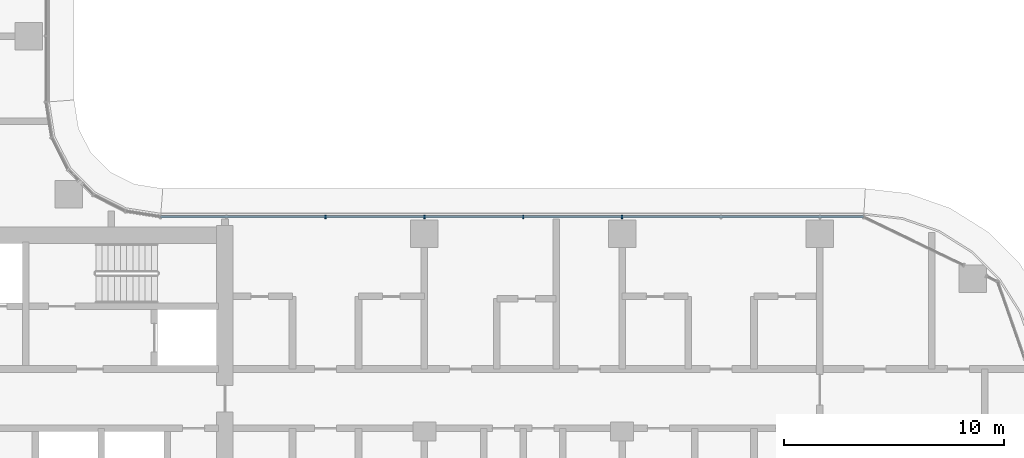
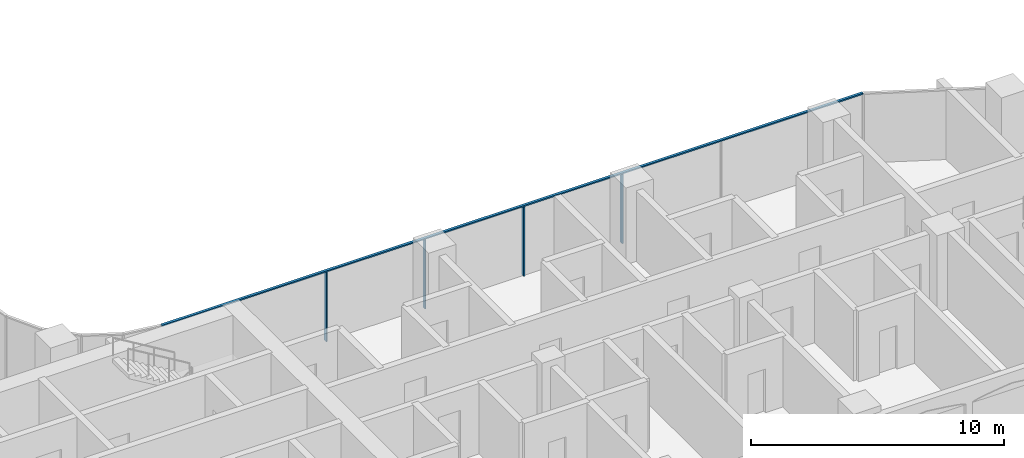
# One storey, part 4 of 40: 5 members, 1 element without a shape of its own.
"""IFC4 building model written with IfcOpenShell, lengths in metres."""

from ifc_helpers import new_model, si_unit, direction, frame, origin, origin_2d, place, context, subcontext, project, spatial, rectangle, extrude, material, material_profile, profile_set, type_object, element, aggregate, save


model = new_model("IFC4")

# Units and contexts
model_context = context("Model", 3, precision=1e-05, world=origin(), true_north=direction((0.0, 1.0)))
body_context = subcontext(model_context, "Body", "Model", "MODEL_VIEW")
ifc_project = project(units=[si_unit("LENGTHUNIT", "METRE"), si_unit("AREAUNIT", "SQUARE_METRE"), si_unit("VOLUMEUNIT", "CUBIC_METRE"), si_unit("PLANEANGLEUNIT", "RADIAN"), si_unit("MASSUNIT", "GRAM", prefix="KILO")], contexts=[model_context])

# Site, building, storey
site_placement = place(None, origin())
site = spatial("IfcSite", under=ifc_project, at=site_placement, CompositionType="ELEMENT")
building_placement = place(site_placement, origin())
building = spatial("IfcBuilding", under=site, at=building_placement, Name="Ogive Portal Towers", CompositionType="ELEMENT")
storey_placement = place(building_placement, frame((0.0, 0.0, 87.10009765625)))
storey = spatial("IfcBuildingStorey", under=building, at=storey_placement, Name="L20", CompositionType="ELEMENT", Elevation=87.10009765625)

# Curtain wall, members
ifc_material_1 = material(Name="Glass, clear low-iron insulated glazing", Category="glass")
curtain_wall_type = type_object("IfcCurtainWallType", Name="CW FRONT RIBBON 4500", PredefinedType="NOTDEFINED", material=ifc_material_1)
curtain_wall_placement = place(storey_placement, origin())
curtain_wall = element("IfcCurtainWall", 1, at=curtain_wall_placement, inside=storey, type_object=curtain_wall_type, Name="A:L20:f11:cw0", PredefinedType="NOTDEFINED")
ifc_material_2 = material(Name="Aluminium 6063 anodised", Category="aluminium")
ifc_material_profile_1 = material_profile(ifc_material_2, rectangle(XDim=0.159912109375, YDim=0.06005859375, at=origin_2d()), Name="AL 60x160")
ifc_profile_set_1 = profile_set([ifc_material_profile_1], Name="Aluminium 6063 anodised")
member_type_1 = type_object("IfcMemberType", Name="CW MULLION 60x160", PredefinedType="MULLION", material=ifc_profile_set_1)
member_1_placement = place(storey_placement, frame((76.5, 40.27490234375, 0.0), z_axis=(0.0, 0.0, 1.0), x_axis=(0.0, -1.0, 0.0)))
member_1 = element("IfcMember", 2, at=member_1_placement, type_object=member_type_1, Name="mullion", PredefinedType="MULLION", context=body_context, shape_type="SweptSolid", body=[
    extrude(rectangle(XDim=0.159912109375, YDim=0.06005859375, at=origin_2d()), origin(), (0.0, 0.0, 1.0), 3.33984375),
])
member_2_placement = place(storey_placement, frame((72.0, 40.27490234375, 0.0), z_axis=(0.0, 0.0, 1.0), x_axis=(0.0, -1.0, 0.0)))
member_2 = element("IfcMember", 3, at=member_2_placement, type_object=member_type_1, Name="mullion", PredefinedType="MULLION", context=body_context, shape_type="SweptSolid", body=[
    extrude(rectangle(XDim=0.159912109375, YDim=0.06005859375, at=origin_2d()), origin(), (0.0, 0.0, 1.0), 3.33984375),
])
member_3_placement = place(storey_placement, frame((67.5, 40.27490234375, 0.0), z_axis=(0.0, 0.0, 1.0), x_axis=(0.0, -1.0, 0.0)))
member_3 = element("IfcMember", 4, at=member_3_placement, type_object=member_type_1, Name="mullion", PredefinedType="MULLION", context=body_context, shape_type="SweptSolid", body=[
    extrude(rectangle(XDim=0.159912109375, YDim=0.06005859375, at=origin_2d()), origin(), (0.0, 0.0, 1.0), 3.33984375),
])
member_4_placement = place(storey_placement, frame((63.0, 40.27490234375, 0.0), z_axis=(0.0, 0.0, 1.0), x_axis=(0.0, -1.0, 0.0)))
member_4 = element("IfcMember", 5, at=member_4_placement, type_object=member_type_1, Name="mullion", PredefinedType="MULLION", context=body_context, shape_type="SweptSolid", body=[
    extrude(rectangle(XDim=0.159912109375, YDim=0.06005859375, at=origin_2d()), origin(), (0.0, 0.0, 1.0), 3.33984375),
])
ifc_material_profile_2 = material_profile(ifc_material_2, rectangle(XDim=0.1201171875, YDim=0.06005859375, at=origin_2d()), Name="AL 120x60")
ifc_profile_set_2 = profile_set([ifc_material_profile_2], Name="Aluminium 6063 anodised")
member_type_2 = type_object("IfcMemberType", Name="CW TRANSOM 60x120", PredefinedType="USERDEFINED", material=ifc_profile_set_2)
member_5_placement = place(storey_placement, frame((87.481689453125, 40.27490234375, 3.369873046875), z_axis=(-1.0, 0.0, 0.0), x_axis=(0.0, -1.0, 0.0)))
member_5 = element("IfcMember", 6, at=member_5_placement, type_object=member_type_2, Name="transom", ObjectType="TRANSOM", PredefinedType="USERDEFINED", context=body_context, shape_type="SweptSolid", body=[
    extrude(rectangle(XDim=0.1201171875, YDim=0.06005859375, at=origin_2d()), origin(), (0.0, 0.0, 1.0), 31.988037109375),
])
aggregate(curtain_wall, [member_5, member_1, member_2, member_3, member_4])

save(model, "model.ifc")
